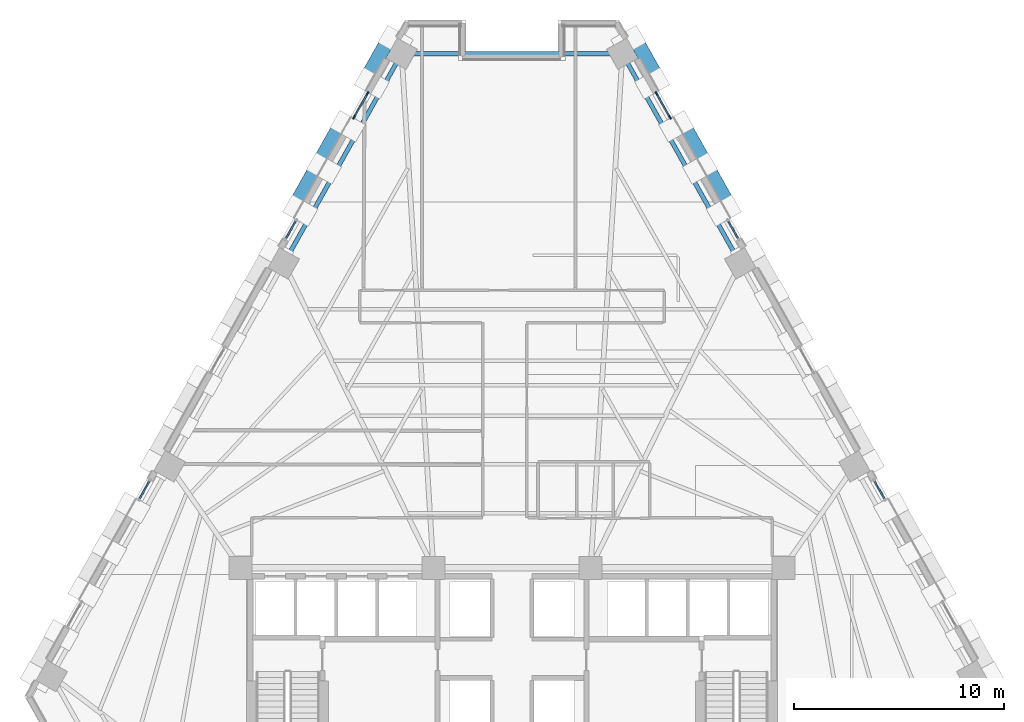
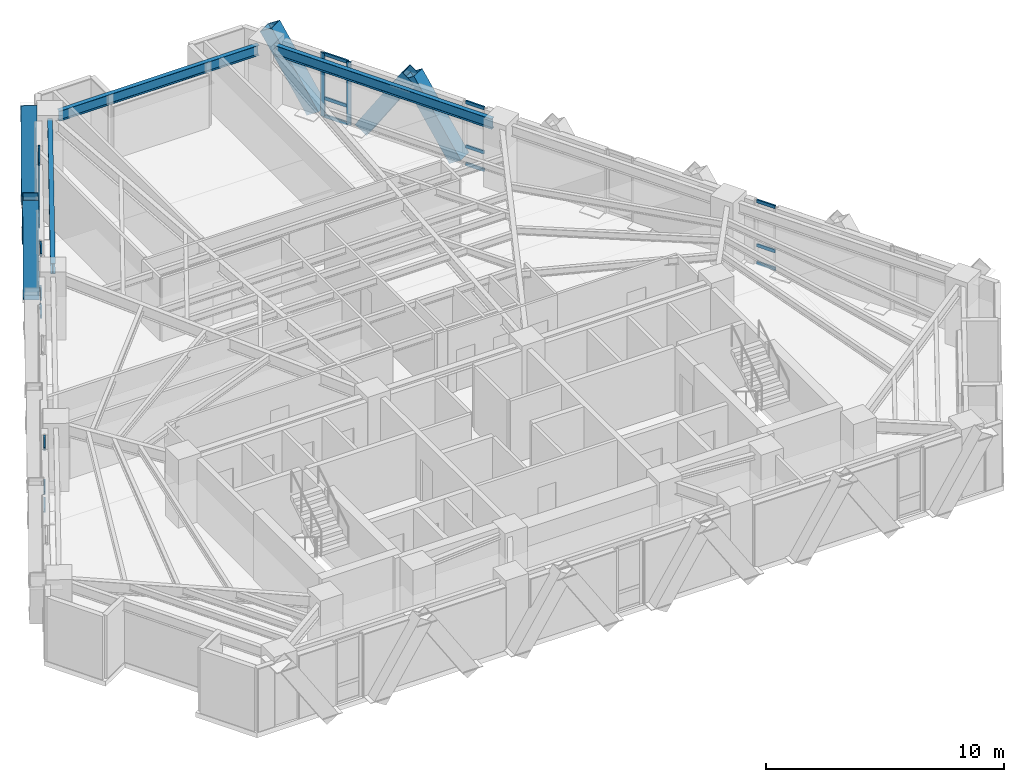
# One storey, part 5 of 13: 28 members, 3 beams, 6 elements without a shape of their own.
"""IFC4 building model written with IfcOpenShell, lengths in metres."""

from ifc_helpers import new_model, si_unit, direction, frame, origin, origin_2d, place, context, subcontext, project, spatial, rectangle, hollow_rectangle, i_section, extrude, material, material_profile, profile_set, type_object, element, aggregate, save


model = new_model("IFC4")

# Units and contexts
model_context = context("Model", 3, precision=1e-05, world=origin(), true_north=direction((0.0, 1.0)))
body_context = subcontext(model_context, "Body", "Model", "MODEL_VIEW")
ifc_project = project(units=[si_unit("LENGTHUNIT", "METRE"), si_unit("AREAUNIT", "SQUARE_METRE"), si_unit("VOLUMEUNIT", "CUBIC_METRE"), si_unit("PLANEANGLEUNIT", "RADIAN"), si_unit("MASSUNIT", "GRAM", prefix="KILO")], contexts=[model_context])

# Site, building, storey
site_placement = place(None, origin())
site = spatial("IfcSite", under=ifc_project, at=site_placement, CompositionType="ELEMENT")
building_placement = place(site_placement, origin())
building = spatial("IfcBuilding", under=site, at=building_placement, Name="Quenlor Broadcast Tower", CompositionType="ELEMENT")
storey_placement = place(building_placement, frame((0.0, 0.0, 83.60009765625)))
storey = spatial("IfcBuildingStorey", under=building, at=storey_placement, Name="L22", CompositionType="ELEMENT", Elevation=83.60009765625)

# Curtain wall, members
ifc_material_1 = material(Name="Architectural Terracotta and Low-E Glazing", Category="masonry")
curtain_wall_type = type_object("IfcCurtainWallType", Name="Unitised Terracotta Curtain Wall System Z2", PredefinedType="NOTDEFINED", material=ifc_material_1)
curtain_wall_1_placement = place(storey_placement, origin())
curtain_wall_1 = element("IfcCurtainWall", 1, at=curtain_wall_1_placement, inside=storey, type_object=curtain_wall_type, Name="L22 Curtain Wall CW2 (L22-NEA-G1)", PredefinedType="NOTDEFINED")
ifc_material_2 = material(Name="Aluminium 6063-T6", Category="aluminium")
ifc_material_profile_1 = material_profile(ifc_material_2, rectangle(XDim=0.074951171875, YDim=0.199951171875, at=origin_2d()))
ifc_profile_set_1 = profile_set([ifc_material_profile_1], Name="Aluminium 6063-T6 MULL75x200")
member_type_1 = type_object("IfcMemberType", Name="CW2 Aluminium Mullion MULL_CW2", PredefinedType="MULLION", material=ifc_profile_set_1)
member_1_placement = place(storey_placement, frame((6.893310546875, 17.81884765625, 0.0), z_axis=(0.0, 0.0, 1.0), x_axis=(0.871583366376, 0.490247320704, 0.0)))
member_1 = element("IfcMember", 2, at=member_1_placement, type_object=member_type_1, Name="CW2 mullion 1", PredefinedType="MULLION", context=body_context, shape_type="SweptSolid", body=[
    extrude(rectangle(XDim=0.074951171875, YDim=0.199951171875, at=origin_2d()), origin(), (0.0, 0.0, 1.0), 3.25),
])
member_2_placement = place(storey_placement, frame((7.525390625, 16.695068359375, 0.0), z_axis=(0.0, 0.0, 1.0), x_axis=(0.871583366376, 0.490247320704, 0.0)))
member_2 = element("IfcMember", 3, at=member_2_placement, type_object=member_type_1, Name="CW2 mullion 2", PredefinedType="MULLION", context=body_context, shape_type="SweptSolid", body=[
    extrude(rectangle(XDim=0.074951171875, YDim=0.199951171875, at=origin_2d()), origin(), (0.0, 0.0, 1.0), 3.25),
])

curtain_wall_2_placement = place(storey_placement, origin())
curtain_wall_2 = element("IfcCurtainWall", 4, at=curtain_wall_2_placement, inside=storey, type_object=curtain_wall_type, Name="L22 Curtain Wall CW2 (L22-NWC-G2)", PredefinedType="NOTDEFINED")
member_3_placement = place(storey_placement, frame((-7.525390625, 16.695068359375, 0.0), z_axis=(0.0, 0.0, 1.0), x_axis=(-0.871583366376, 0.490247320704, 0.0)))
member_3 = element("IfcMember", 5, at=member_3_placement, type_object=member_type_1, Name="CW2 mullion 1", PredefinedType="MULLION", context=body_context, shape_type="SweptSolid", body=[
    extrude(rectangle(XDim=0.074951171875, YDim=0.199951171875, at=origin_2d()), origin(), (0.0, 0.0, 1.0), 3.25),
])
member_4_placement = place(storey_placement, frame((-6.893310546875, 17.81884765625, 0.0), z_axis=(0.0, 0.0, 1.0), x_axis=(-0.871583366376, 0.490247320704, 0.0)))
member_4 = element("IfcMember", 6, at=member_4_placement, type_object=member_type_1, Name="CW2 mullion 2", PredefinedType="MULLION", context=body_context, shape_type="SweptSolid", body=[
    extrude(rectangle(XDim=0.074951171875, YDim=0.199951171875, at=origin_2d()), origin(), (0.0, 0.0, 1.0), 3.25),
])

# Member
ifc_material_3 = material(Name="Aluminium 6063-T6", Category="aluminium")
ifc_material_profile_2 = material_profile(ifc_material_3, rectangle(XDim=0.074951171875, YDim=0.1650390625, at=origin_2d()))
ifc_profile_set_2 = profile_set([ifc_material_profile_2], Name="Aluminium 6063-T6 TRAN75x165")
member_type_2 = type_object("IfcMemberType", Name="CW2 Aluminium Transom TRAN_CW2", PredefinedType="USERDEFINED", material=ifc_profile_set_2)
member_5_placement = place(storey_placement, frame((6.91162109375, 17.7861328125, 0.037353515625), z_axis=(0.490347143438, -0.871527210661, 0.0), x_axis=(0.871527210661, 0.490347143438, 0.0)))
member_5 = element("IfcMember", 7, at=member_5_placement, type_object=member_type_2, Name="CW2 transom 1.1", ObjectType="TRANSOM", PredefinedType="USERDEFINED", context=body_context, shape_type="SweptSolid", body=[
    extrude(rectangle(XDim=0.074951171875, YDim=0.1650390625, at=origin_2d()), origin(), (0.0, 0.0, 1.0), 1.21435546875),
])

member_6_placement = place(storey_placement, frame((6.91162109375, 17.7861328125, 0.949951171875), z_axis=(0.490347143438, -0.871527210661, 0.0), x_axis=(0.871527210661, 0.490347143438, 0.0)))
member_6 = element("IfcMember", 8, at=member_6_placement, type_object=member_type_2, Name="CW2 transom 1.2", ObjectType="TRANSOM", PredefinedType="USERDEFINED", context=body_context, shape_type="SweptSolid", body=[
    extrude(rectangle(XDim=0.074951171875, YDim=0.1650390625, at=origin_2d()), origin(), (0.0, 0.0, 1.0), 1.21435546875),
])

member_7_placement = place(storey_placement, frame((6.91162109375, 17.7861328125, 3.21240234375), z_axis=(0.490347143438, -0.871527210661, 0.0), x_axis=(0.871527210661, 0.490347143438, 0.0)))
member_7 = element("IfcMember", 9, at=member_7_placement, type_object=member_type_2, Name="CW2 transom 1.3", ObjectType="TRANSOM", PredefinedType="USERDEFINED", context=body_context, shape_type="SweptSolid", body=[
    extrude(rectangle(XDim=0.074951171875, YDim=0.1650390625, at=origin_2d()), origin(), (0.0, 0.0, 1.0), 1.21435546875),
])

aggregate(curtain_wall_1, [member_1, member_2, member_5, member_6, member_7])

# Curtain wall, members
curtain_wall_3_placement = place(storey_placement, origin())
curtain_wall_3 = element("IfcCurtainWall", 10, at=curtain_wall_3_placement, inside=storey, type_object=curtain_wall_type, Name="L22 Curtain Wall CW2 (L22-NEA-G2)", PredefinedType="NOTDEFINED")
member_8_placement = place(storey_placement, frame((10.32470703125, 11.718505859375, 0.037353515625), z_axis=(0.490363403455, -0.871518062092, 0.0), x_axis=(0.871518062092, 0.490363403455, 0.0)))
member_8 = element("IfcMember", 11, at=member_8_placement, type_object=member_type_2, Name="CW2 transom 1.1", ObjectType="TRANSOM", PredefinedType="USERDEFINED", context=body_context, shape_type="SweptSolid", body=[
    extrude(rectangle(XDim=0.074951171875, YDim=0.1650390625, at=origin_2d()), origin(), (0.0, 0.0, 1.0), 0.90771484375),
])
member_9_placement = place(storey_placement, frame((10.32470703125, 11.718505859375, 0.949951171875), z_axis=(0.490363403455, -0.871518062092, 0.0), x_axis=(0.871518062092, 0.490363403455, 0.0)))
member_9 = element("IfcMember", 12, at=member_9_placement, type_object=member_type_2, Name="CW2 transom 1.2", ObjectType="TRANSOM", PredefinedType="USERDEFINED", context=body_context, shape_type="SweptSolid", body=[
    extrude(rectangle(XDim=0.074951171875, YDim=0.1650390625, at=origin_2d()), origin(), (0.0, 0.0, 1.0), 0.90771484375),
])
member_10_placement = place(storey_placement, frame((10.32470703125, 11.718505859375, 3.21240234375), z_axis=(0.490363403455, -0.871518062092, 0.0), x_axis=(0.871518062092, 0.490363403455, 0.0)))
member_10 = element("IfcMember", 13, at=member_10_placement, type_object=member_type_2, Name="CW2 transom 1.3", ObjectType="TRANSOM", PredefinedType="USERDEFINED", context=body_context, shape_type="SweptSolid", body=[
    extrude(rectangle(XDim=0.074951171875, YDim=0.1650390625, at=origin_2d()), origin(), (0.0, 0.0, 1.0), 0.90771484375),
])
aggregate(curtain_wall_3, [member_8, member_9, member_10])

curtain_wall_4_placement = place(storey_placement, origin())
curtain_wall_4 = element("IfcCurtainWall", 14, at=curtain_wall_4_placement, inside=storey, type_object=curtain_wall_type, Name="L22 Curtain Wall CW2 (L22-NEC-G1)", PredefinedType="NOTDEFINED")
member_11_placement = place(storey_placement, frame((17.30126953125, -0.684326171875, 0.037353515625), z_axis=(0.490363403455, -0.871518062092, 0.0), x_axis=(0.871518062092, 0.490363403455, 0.0)))
member_11 = element("IfcMember", 15, at=member_11_placement, type_object=member_type_2, Name="CW2 transom 1.1", ObjectType="TRANSOM", PredefinedType="USERDEFINED", context=body_context, shape_type="SweptSolid", body=[
    extrude(rectangle(XDim=0.074951171875, YDim=0.1650390625, at=origin_2d()), origin(), (0.0, 0.0, 1.0), 0.90771484375),
])
member_12_placement = place(storey_placement, frame((17.30126953125, -0.684326171875, 0.949951171875), z_axis=(0.490363403455, -0.871518062092, 0.0), x_axis=(0.871518062092, 0.490363403455, 0.0)))
member_12 = element("IfcMember", 16, at=member_12_placement, type_object=member_type_2, Name="CW2 transom 1.2", ObjectType="TRANSOM", PredefinedType="USERDEFINED", context=body_context, shape_type="SweptSolid", body=[
    extrude(rectangle(XDim=0.074951171875, YDim=0.1650390625, at=origin_2d()), origin(), (0.0, 0.0, 1.0), 0.90771484375),
])
member_13_placement = place(storey_placement, frame((17.30126953125, -0.684326171875, 3.21240234375), z_axis=(0.490363403455, -0.871518062092, 0.0), x_axis=(0.871518062092, 0.490363403455, 0.0)))
member_13 = element("IfcMember", 17, at=member_13_placement, type_object=member_type_2, Name="CW2 transom 1.3", ObjectType="TRANSOM", PredefinedType="USERDEFINED", context=body_context, shape_type="SweptSolid", body=[
    extrude(rectangle(XDim=0.074951171875, YDim=0.1650390625, at=origin_2d()), origin(), (0.0, 0.0, 1.0), 0.90771484375),
])
aggregate(curtain_wall_4, [member_11, member_12, member_13])

curtain_wall_5_placement = place(storey_placement, origin())
curtain_wall_5 = element("IfcCurtainWall", 18, at=curtain_wall_5_placement, inside=storey, type_object=curtain_wall_type, Name="L22 Curtain Wall CW2 (L22-NWA-G2)", PredefinedType="NOTDEFINED")
member_14_placement = place(storey_placement, frame((-17.746337890625, -1.475341796875, 0.037353515625), z_axis=(0.490363403455, 0.871518062092, 0.0), x_axis=(-0.871518062092, 0.490363403455, 0.0)))
member_14 = element("IfcMember", 19, at=member_14_placement, type_object=member_type_2, Name="CW2 transom 1.1", ObjectType="TRANSOM", PredefinedType="USERDEFINED", context=body_context, shape_type="SweptSolid", body=[
    extrude(rectangle(XDim=0.074951171875, YDim=0.1650390625, at=origin_2d()), origin(), (0.0, 0.0, 1.0), 0.90771484375),
])
member_15_placement = place(storey_placement, frame((-17.746337890625, -1.475341796875, 0.949951171875), z_axis=(0.490363403455, 0.871518062092, 0.0), x_axis=(-0.871518062092, 0.490363403455, 0.0)))
member_15 = element("IfcMember", 20, at=member_15_placement, type_object=member_type_2, Name="CW2 transom 1.2", ObjectType="TRANSOM", PredefinedType="USERDEFINED", context=body_context, shape_type="SweptSolid", body=[
    extrude(rectangle(XDim=0.074951171875, YDim=0.1650390625, at=origin_2d()), origin(), (0.0, 0.0, 1.0), 0.90771484375),
])
member_16_placement = place(storey_placement, frame((-17.746337890625, -1.475341796875, 3.21240234375), z_axis=(0.490363403455, 0.871518062092, 0.0), x_axis=(-0.871518062092, 0.490363403455, 0.0)))
member_16 = element("IfcMember", 21, at=member_16_placement, type_object=member_type_2, Name="CW2 transom 1.3", ObjectType="TRANSOM", PredefinedType="USERDEFINED", context=body_context, shape_type="SweptSolid", body=[
    extrude(rectangle(XDim=0.074951171875, YDim=0.1650390625, at=origin_2d()), origin(), (0.0, 0.0, 1.0), 0.90771484375),
])
aggregate(curtain_wall_5, [member_14, member_15, member_16])

curtain_wall_6_placement = place(storey_placement, origin())
curtain_wall_6 = element("IfcCurtainWall", 22, at=curtain_wall_6_placement, inside=storey, type_object=curtain_wall_type, Name="L22 Curtain Wall CW2 (L22-NWC-G1)", PredefinedType="NOTDEFINED")
member_17_placement = place(storey_placement, frame((-10.769775390625, 10.927490234375, 0.037353515625), z_axis=(0.490363403455, 0.871518062092, 0.0), x_axis=(-0.871518062092, 0.490363403455, 0.0)))
member_17 = element("IfcMember", 23, at=member_17_placement, type_object=member_type_2, Name="CW2 transom 1.1", ObjectType="TRANSOM", PredefinedType="USERDEFINED", context=body_context, shape_type="SweptSolid", body=[
    extrude(rectangle(XDim=0.074951171875, YDim=0.1650390625, at=origin_2d()), origin(), (0.0, 0.0, 1.0), 0.90771484375),
])
member_18_placement = place(storey_placement, frame((-10.769775390625, 10.927490234375, 0.949951171875), z_axis=(0.490363403455, 0.871518062092, 0.0), x_axis=(-0.871518062092, 0.490363403455, 0.0)))
member_18 = element("IfcMember", 24, at=member_18_placement, type_object=member_type_2, Name="CW2 transom 1.2", ObjectType="TRANSOM", PredefinedType="USERDEFINED", context=body_context, shape_type="SweptSolid", body=[
    extrude(rectangle(XDim=0.074951171875, YDim=0.1650390625, at=origin_2d()), origin(), (0.0, 0.0, 1.0), 0.90771484375),
])
member_19_placement = place(storey_placement, frame((-10.769775390625, 10.927490234375, 3.21240234375), z_axis=(0.490363403455, 0.871518062092, 0.0), x_axis=(-0.871518062092, 0.490363403455, 0.0)))
member_19 = element("IfcMember", 25, at=member_19_placement, type_object=member_type_2, Name="CW2 transom 1.3", ObjectType="TRANSOM", PredefinedType="USERDEFINED", context=body_context, shape_type="SweptSolid", body=[
    extrude(rectangle(XDim=0.074951171875, YDim=0.1650390625, at=origin_2d()), origin(), (0.0, 0.0, 1.0), 0.90771484375),
])
aggregate(curtain_wall_6, [member_17, member_18, member_19])

# Member
member_20_placement = place(storey_placement, frame((-7.507080078125, 16.727783203125, 0.037353515625), z_axis=(0.490347143438, 0.871527210661, 0.0), x_axis=(-0.871527210661, 0.490347143438, 0.0)))
member_20 = element("IfcMember", 26, at=member_20_placement, type_object=member_type_2, Name="CW2 transom 1.1", ObjectType="TRANSOM", PredefinedType="USERDEFINED", context=body_context, shape_type="SweptSolid", body=[
    extrude(rectangle(XDim=0.074951171875, YDim=0.1650390625, at=origin_2d()), origin(), (0.0, 0.0, 1.0), 1.21435546875),
])

member_21_placement = place(storey_placement, frame((-7.507080078125, 16.727783203125, 0.949951171875), z_axis=(0.490347143438, 0.871527210661, 0.0), x_axis=(-0.871527210661, 0.490347143438, 0.0)))
member_21 = element("IfcMember", 27, at=member_21_placement, type_object=member_type_2, Name="CW2 transom 1.2", ObjectType="TRANSOM", PredefinedType="USERDEFINED", context=body_context, shape_type="SweptSolid", body=[
    extrude(rectangle(XDim=0.074951171875, YDim=0.1650390625, at=origin_2d()), origin(), (0.0, 0.0, 1.0), 1.21435546875),
])

member_22_placement = place(storey_placement, frame((-7.507080078125, 16.727783203125, 3.21240234375), z_axis=(0.490347143438, 0.871527210661, 0.0), x_axis=(-0.871527210661, 0.490347143438, 0.0)))
member_22 = element("IfcMember", 28, at=member_22_placement, type_object=member_type_2, Name="CW2 transom 1.3", ObjectType="TRANSOM", PredefinedType="USERDEFINED", context=body_context, shape_type="SweptSolid", body=[
    extrude(rectangle(XDim=0.074951171875, YDim=0.1650390625, at=origin_2d()), origin(), (0.0, 0.0, 1.0), 1.21435546875),
])

aggregate(curtain_wall_2, [member_3, member_4, member_20, member_21, member_22])

# Members
ifc_material_4 = material(Name="Steel S355", Category="steel")
ifc_material_profile_3 = material_profile(ifc_material_4, hollow_rectangle(XDim=0.679931640625, YDim=0.679931640625, WallThickness=0.030029296875, at=origin_2d()))
ifc_profile_set_3 = profile_set([ifc_material_profile_3], Name="Steel S355 RHS680x680x30")
member_type_3 = type_object("IfcMemberType", Name="Perimeter Diagonal Lattice Brace Z2 Steel S355 RHS680x30", PredefinedType="BRACE", material=ifc_profile_set_3)
for number, where, z_axis, x_axis, name in (
    (29, (8.12939453125, 16.42724609375, -0.1201171875), (0.268642373731, -0.477592925498, 0.83650240439), (0.871578380919, 0.490256183964, 0.0), "L22 Perimeter Diamond Lattice NE-C1S"),
    (30, (6.977783203125, 18.47412109375, -0.1201171875), (-0.26858823371, 0.477600411236, 0.836515515636), (-0.871623880158, -0.490175286544, 0.0), "L22 Perimeter Diamond Lattice NE-C1B"),
    (31, (10.39111328125, 12.406494140625, -0.1201171875), (-0.268642373731, 0.477592925498, 0.83650240439), (-0.871578380919, -0.490256183964, 0.0), "L22 Perimeter Diamond Lattice NE-C2B"),
    (32, (-10.39111328125, 12.406494140625, -0.1201171875), (0.268642373731, 0.477592925498, 0.83650240439), (-0.871578380919, 0.490256183964, 0.0), "L22 Perimeter Diamond Lattice NW-C4S"),
    (33, (-6.977783203125, 18.47412109375, -0.1201171875), (0.26858823371, 0.477600411236, 0.836515515636), (-0.871623880158, 0.490175286544, 0.0), "L22 Perimeter Diamond Lattice NW-C5S"),
    (34, (-8.12939453125, 16.42724609375, -0.1201171875), (-0.268642373731, -0.477592925498, 0.83650240439), (0.871578380919, -0.490256183964, 0.0), "L22 Perimeter Diamond Lattice NW-C5B"),
):
    element("IfcMember", number, at=place(storey_placement, frame(where, z_axis=z_axis, x_axis=x_axis)), inside=storey, type_object=member_type_3, Name=name, PredefinedType="BRACE", context=body_context, shape_type="SweptSolid", body=[
        extrude(hollow_rectangle(XDim=0.679931640625, YDim=0.679931640625, WallThickness=0.030029296875, at=origin_2d()), origin(), (0.0, 0.0, 1.0), 4.18408203125),
    ])

# Beams
ifc_material_5 = material(Name="Steel S355", Category="steel")
ifc_material_profile_4 = material_profile(ifc_material_5, i_section(OverallWidth=0.208984375, OverallDepth=0.5283203125, WebThickness=0.009521484375, FlangeThickness=0.01318359375, FilletRadius=0.013916015625, at=origin_2d()))
ifc_profile_set_4 = profile_set([ifc_material_profile_4], Name="Steel S355 530UB82.0")
beam_type = type_object("IfcBeamType", Name="Perimeter Spandrel Beam Z2 Steel S355 530UB82.0", PredefinedType="SPANDREL", material=ifc_profile_set_4)
beam_1_placement = place(storey_placement, frame((10.685791015625, 10.076904296875, 2.98583984375), z_axis=(-0.490236213386, 0.871589613916, 0.0), x_axis=(-0.871589613916, -0.490236213386, 0.0)))
element("IfcBeam", 35, at=beam_1_placement, inside=storey, type_object=beam_type, Name="L22 Spandrel Beam NE3-NE4", PredefinedType="SPANDREL", context=body_context, shape_type="SweptSolid", body=[
    extrude(i_section(OverallWidth=0.208984375, OverallDepth=0.5283203125, WebThickness=0.009521484375, FlangeThickness=0.01318359375, FilletRadius=0.013916015625, at=origin_2d()), origin(), (0.0, 0.0, 1.0), 10.65283203125),
])
beam_2_placement = place(storey_placement, frame((4.852294921875, 19.718994140625, 2.98583984375), z_axis=(-1.0, 0.0, 0.0), x_axis=(0.0, -1.0, 0.0)))
element("IfcBeam", 36, at=beam_2_placement, inside=storey, type_object=beam_type, Name="L22 Spandrel Beam NE4-NW1", PredefinedType="SPANDREL", context=body_context, shape_type="SweptSolid", body=[
    extrude(i_section(OverallWidth=0.208984375, OverallDepth=0.5283203125, WebThickness=0.009521484375, FlangeThickness=0.01318359375, FilletRadius=0.013916015625, at=origin_2d()), origin(), (0.0, 0.0, 1.0), 9.70458984375),
])
beam_3_placement = place(storey_placement, frame((-5.46337890625, 19.36181640625, 2.98583984375), z_axis=(-0.490236213386, -0.871589613916, 0.0), x_axis=(0.871589613916, -0.490236213386, 0.0)))
element("IfcBeam", 37, at=beam_3_placement, inside=storey, type_object=beam_type, Name="L22 Spandrel Beam NW1-NW2", PredefinedType="SPANDREL", context=body_context, shape_type="SweptSolid", body=[
    extrude(i_section(OverallWidth=0.208984375, OverallDepth=0.5283203125, WebThickness=0.009521484375, FlangeThickness=0.01318359375, FilletRadius=0.013916015625, at=origin_2d()), origin(), (0.0, 0.0, 1.0), 10.65283203125),
])

save(model, "model.ifc")
